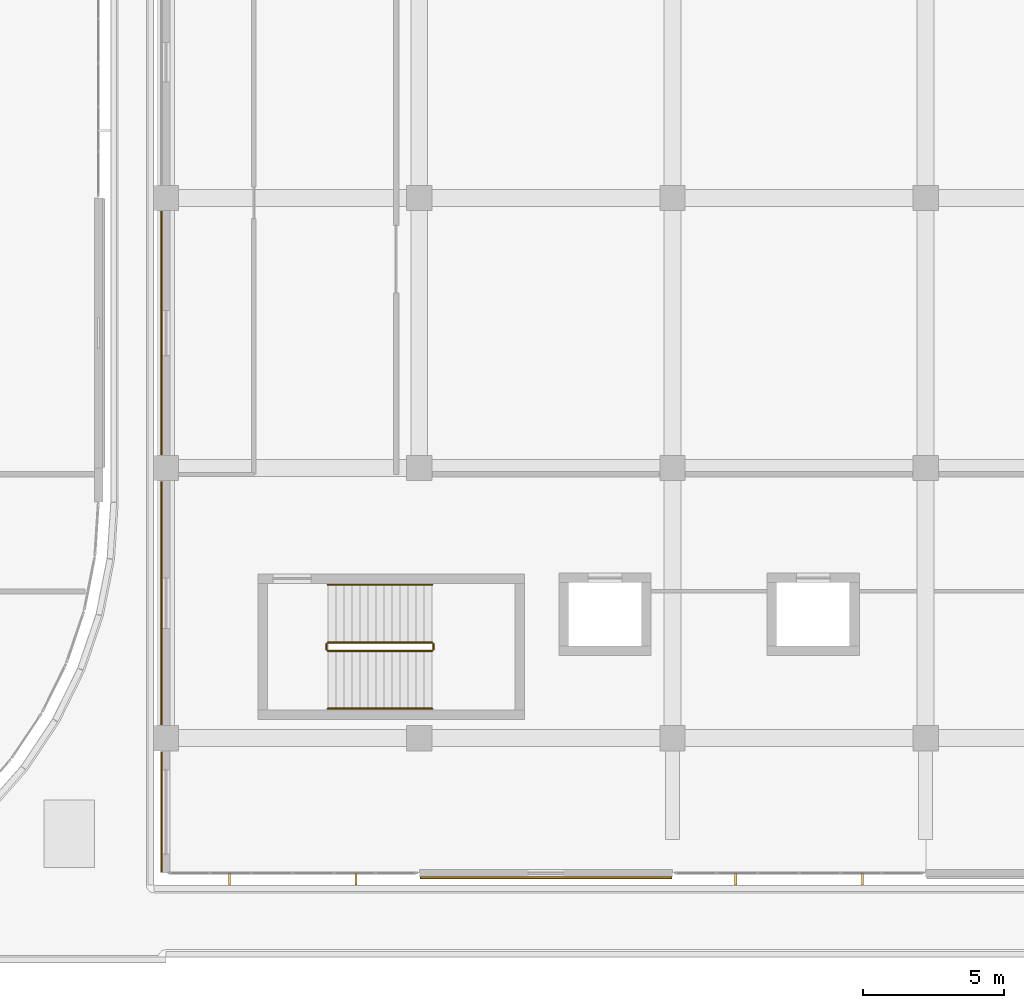
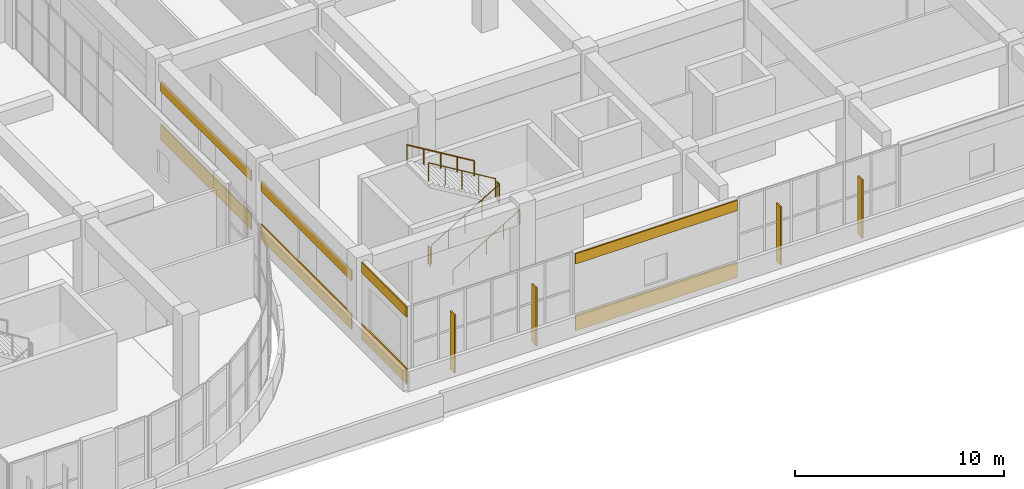
# One storey, part 82 of 96: 8 coverings, 6 railings, 4 shading devices.
"""IFC4 building model written with IfcOpenShell, lengths in metres."""

from ifc_helpers import new_model, si_unit, direction, frame, origin, origin_2d, place, context, subcontext, project, spatial, rectangle, circle, extrude, material, layer, layer_set, type_object, element, save


model = new_model("IFC4")

# Units and contexts
model_context = context("Model", 3, precision=1e-05, world=origin(), true_north=direction((0.0, 1.0)))
body_context = subcontext(model_context, "Body", "Model", "MODEL_VIEW")
ifc_project = project(units=[si_unit("LENGTHUNIT", "METRE"), si_unit("AREAUNIT", "SQUARE_METRE"), si_unit("VOLUMEUNIT", "CUBIC_METRE"), si_unit("PLANEANGLEUNIT", "RADIAN"), si_unit("MASSUNIT", "GRAM", prefix="KILO")], contexts=[model_context])

# Site, building, storey
site_placement = place(None, origin())
site = spatial("IfcSite", under=ifc_project, at=site_placement, CompositionType="ELEMENT")
building_placement = place(site_placement, origin())
building = spatial("IfcBuilding", under=site, at=building_placement, Name="Cendralis Terraced Arcade", CompositionType="ELEMENT")
storey_placement = place(building_placement, frame((0.0, 0.0, 10.199951171875)))
storey = spatial("IfcBuildingStorey", under=building, at=storey_placement, Name="L02", CompositionType="ELEMENT", Elevation=10.199951171875)

# Coverings
ifc_material_1 = material(Name="Precast concrete f'c 40 MPa", Category="concrete")
ifc_layer = layer(ifc_material_1, 0.06494140625, Name="COV-CLAD-GRC-65")
ifc_layer_set = layer_set([ifc_layer], Name="Precast concrete f'c 40 MPa")
covering_type = type_object("IfcCoveringType", Name="COV-CLAD-GRC-65", PredefinedType="CLADDING", material=ifc_layer_set)
covering_1_placement = place(storey_placement, frame((80.699951171875, 4.637451171875, 0.0), z_axis=(0.0, 0.0, 1.0), x_axis=(-1.0, 0.0, 0.0)))
element("IfcCovering", 1, at=covering_1_placement, inside=storey, type_object=covering_type, Name="Banded Precast Stone Spandrel Cladding L02-297", PredefinedType="CLADDING", context=body_context, shape_type="SweptSolid", body=[
    extrude(rectangle(XDim=8.93994140625, YDim=0.06494140625, at=origin_2d()), origin(), (0.0, 0.0, 1.0), 0.89990234375),
])
covering_2_placement = place(storey_placement, frame((80.699951171875, 4.637451171875, 3.89501953125), z_axis=(0.0, 0.0, 1.0), x_axis=(-1.0, 0.0, 0.0)))
element("IfcCovering", 2, at=covering_2_placement, inside=storey, type_object=covering_type, Name="Banded Precast Stone Lintel Cladding L02-298", PredefinedType="CLADDING", context=body_context, shape_type="SweptSolid", body=[
    extrude(rectangle(XDim=8.93994140625, YDim=0.06494140625, at=origin_2d()), origin(), (0.0, 0.0, 1.0), 0.60009765625),
])
covering_3_placement = place(storey_placement, frame((67.03759765625, 6.97607421875, 0.0), z_axis=(0.0, 0.0, 1.0), x_axis=(0.0, 1.0, 0.0)))
element("IfcCovering", 3, at=covering_3_placement, inside=storey, type_object=covering_type, Name="Banded Precast Stone Spandrel Cladding L02-299", PredefinedType="CLADDING", context=body_context, shape_type="SweptSolid", body=[
    extrude(rectangle(XDim=4.2919921875, YDim=0.06494140625, at=origin_2d()), origin(), (0.0, 0.0, 1.0), 0.89990234375),
])
covering_4_placement = place(storey_placement, frame((67.03759765625, 6.97607421875, 3.89501953125), z_axis=(0.0, 0.0, 1.0), x_axis=(0.0, 1.0, 0.0)))
element("IfcCovering", 4, at=covering_4_placement, inside=storey, type_object=covering_type, Name="Banded Precast Stone Lintel Cladding L02-300", PredefinedType="CLADDING", context=body_context, shape_type="SweptSolid", body=[
    extrude(rectangle(XDim=4.2919921875, YDim=0.06494140625, at=origin_2d()), origin(), (0.0, 0.0, 1.0), 0.60009765625),
])
covering_5_placement = place(storey_placement, frame((67.03759765625, 14.39990234375, 0.0), z_axis=(0.0, 0.0, 1.0), x_axis=(0.0, 1.0, 0.0)))
element("IfcCovering", 5, at=covering_5_placement, inside=storey, type_object=covering_type, Name="Banded Precast Stone Spandrel Cladding L02-301", PredefinedType="CLADDING", context=body_context, shape_type="SweptSolid", body=[
    extrude(rectangle(XDim=8.64404296875, YDim=0.06494140625, at=origin_2d()), origin(), (0.0, 0.0, 1.0), 0.89990234375),
])
covering_6_placement = place(storey_placement, frame((67.03759765625, 14.39990234375, 2.8349609375), z_axis=(0.0, 0.0, 1.0), x_axis=(0.0, 1.0, 0.0)))
element("IfcCovering", 6, at=covering_6_placement, inside=storey, type_object=covering_type, Name="Banded Precast Stone Lintel Cladding L02-302", PredefinedType="CLADDING", context=body_context, shape_type="SweptSolid", body=[
    extrude(rectangle(XDim=8.64404296875, YDim=0.06494140625, at=origin_2d()), origin(), (0.0, 0.0, 1.0), 0.60009765625),
])
covering_7_placement = place(storey_placement, frame((67.03759765625, 24.0, 0.0), z_axis=(0.0, 0.0, 1.0), x_axis=(0.0, 1.0, 0.0)))
element("IfcCovering", 7, at=covering_7_placement, inside=storey, type_object=covering_type, Name="Banded Precast Stone Spandrel Cladding L02-303", PredefinedType="CLADDING", context=body_context, shape_type="SweptSolid", body=[
    extrude(rectangle(XDim=8.64404296875, YDim=0.06494140625, at=origin_2d()), origin(), (0.0, 0.0, 1.0), 0.89990234375),
])
covering_8_placement = place(storey_placement, frame((67.03759765625, 24.0, 2.8349609375), z_axis=(0.0, 0.0, 1.0), x_axis=(0.0, 1.0, 0.0)))
element("IfcCovering", 8, at=covering_8_placement, inside=storey, type_object=covering_type, Name="Banded Precast Stone Lintel Cladding L02-304", PredefinedType="CLADDING", context=body_context, shape_type="SweptSolid", body=[
    extrude(rectangle(XDim=8.64404296875, YDim=0.06494140625, at=origin_2d()), origin(), (0.0, 0.0, 1.0), 0.60009765625),
])

# Railings
ifc_material_2 = material(Name="Brushed stainless steel AISI 316", Category="steel")
railing_type_1 = type_object("IfcRailingType", Name="RL-STAIR-GUARD-1100", PredefinedType="GUARDRAIL", material=ifc_material_2)
railing_1_placement = place(storey_placement, frame((72.949951171875, 12.699951171875, 0.17138671875)))
element("IfcRailing", 9, at=railing_1_placement, inside=storey, type_object=railing_type_1, Name="L02 ST-08 stair guard 1", PredefinedType="GUARDRAIL", context=body_context, shape_type="SweptSolid", body=[
    extrude(circle(Radius=0.02392578125, at=origin_2d()), frame((0.0, 0.0, 1.076171875), z_axis=(0.856909459561, 0.0, 0.515466951525), x_axis=(0.0, 1.0, 0.0)), (0.0, 0.0, 1.0), 4.32373046875),
    extrude(circle(Radius=0.02099609375, at=origin_2d()), origin(), (0.0, 0.0, 1.0), 1.052001953125),
    extrude(circle(Radius=0.02099609375, at=origin_2d()), frame((0.92626953125, 0.0, 0.55712890625)), (0.0, 0.0, 1.0), 1.052001953125),
    extrude(circle(Radius=0.02099609375, at=origin_2d()), frame((1.8525390625, 0.0, 1.1142578125)), (0.0, 0.0, 1.0), 1.052001953125),
    extrude(circle(Radius=0.02099609375, at=origin_2d()), frame((2.77880859375, 0.0, 1.671630859375)), (0.0, 0.0, 1.0), 1.052001953125),
    extrude(circle(Radius=0.02099609375, at=origin_2d()), frame((3.705078125, 0.0, 2.228759765625)), (0.0, 0.0, 1.0), 1.052001953125),
])
railing_2_placement = place(storey_placement, frame((76.705078125, 12.75, 2.400146484375)))
element("IfcRailing", 10, at=railing_2_placement, inside=storey, type_object=railing_type_1, Name="L02 ST-08 stair guard 2", PredefinedType="GUARDRAIL", context=body_context, shape_type="SweptSolid", body=[
    extrude(circle(Radius=0.02392578125, at=origin_2d()), frame((0.0, 0.0, 1.076171875), z_axis=(0.0, 1.0, 0.0), x_axis=(-1.0, 0.0, 0.0)), (0.0, 0.0, 1.0), 0.199951171875),
    extrude(circle(Radius=0.02099609375, at=origin_2d()), origin(), (0.0, 0.0, 1.0), 1.052001953125),
    extrude(circle(Radius=0.02099609375, at=origin_2d()), frame((0.0, 0.199951171875, 0.0)), (0.0, 0.0, 1.0), 1.052001953125),
])
railing_3_placement = place(storey_placement, frame((76.655029296875, 13.0, 2.571533203125)))
element("IfcRailing", 11, at=railing_3_placement, inside=storey, type_object=railing_type_1, Name="L02 ST-08 stair guard 3", PredefinedType="GUARDRAIL", context=body_context, shape_type="SweptSolid", body=[
    extrude(circle(Radius=0.02392578125, at=origin_2d()), frame((0.0, 0.0, 1.076171875), z_axis=(-0.856934400257, 0.0, 0.515425487977), x_axis=(0.0, -1.0, 0.0)), (0.0, 0.0, 1.0), 4.32373046875),
    extrude(circle(Radius=0.02099609375, at=origin_2d()), origin(), (0.0, 0.0, 1.0), 1.052001953125),
    extrude(circle(Radius=0.02099609375, at=origin_2d()), frame((-0.92626953125, 0.0, 0.55712890625)), (0.0, 0.0, 1.0), 1.052001953125),
    extrude(circle(Radius=0.02099609375, at=origin_2d()), frame((-1.8525390625, 0.0, 1.1142578125)), (0.0, 0.0, 1.0), 1.052001953125),
    extrude(circle(Radius=0.02099609375, at=origin_2d()), frame((-2.77880859375, 0.0, 1.67138671875)), (0.0, 0.0, 1.0), 1.052001953125),
    extrude(circle(Radius=0.02099609375, at=origin_2d()), frame((-3.705078125, 0.0, 2.228515625)), (0.0, 0.0, 1.0), 1.052001953125),
])
railing_4_placement = place(storey_placement, frame((72.89990234375, 12.75, 0.0)))
element("IfcRailing", 12, at=railing_4_placement, inside=storey, type_object=railing_type_1, Name="L02 ST-08 stair guard 4", PredefinedType="GUARDRAIL", context=body_context, shape_type="SweptSolid", body=[
    extrude(circle(Radius=0.02392578125, at=origin_2d()), frame((0.0, 0.0, 1.076171875), z_axis=(0.0, 1.0, 0.0), x_axis=(-1.0, 0.0, 0.0)), (0.0, 0.0, 1.0), 0.199951171875),
    extrude(circle(Radius=0.02099609375, at=origin_2d()), origin(), (0.0, 0.0, 1.0), 1.052001953125),
    extrude(circle(Radius=0.02099609375, at=origin_2d()), frame((0.0, 0.199951171875, 0.0)), (0.0, 0.0, 1.0), 1.052001953125),
])
railing_type_2 = type_object("IfcRailingType", Name="RL-STAIR-HAND-900", PredefinedType="HANDRAIL", material=ifc_material_2)
railing_5_placement = place(storey_placement, frame((72.949951171875, 10.64990234375, 0.17138671875)))
element("IfcRailing", 13, at=railing_5_placement, inside=storey, type_object=railing_type_2, Name="L02 ST-08 stair handrail 1", PredefinedType="HANDRAIL", context=body_context, shape_type="SweptSolid", body=[
    extrude(circle(Radius=0.02392578125, at=origin_2d()), frame((0.0, 0.0, 0.8759765625), z_axis=(0.856909459561, 0.0, 0.515466951525), x_axis=(0.0, 1.0, 0.0)), (0.0, 0.0, 1.0), 4.32373046875),
    extrude(circle(Radius=0.02099609375, at=origin_2d()), origin(), (0.0, 0.0, 1.0), 0.851806640625),
    extrude(circle(Radius=0.02099609375, at=origin_2d()), frame((0.92626953125, 0.0, 0.55712890625)), (0.0, 0.0, 1.0), 0.851806640625),
    extrude(circle(Radius=0.02099609375, at=origin_2d()), frame((1.8525390625, 0.0, 1.1142578125)), (0.0, 0.0, 1.0), 0.851806640625),
    extrude(circle(Radius=0.02099609375, at=origin_2d()), frame((2.77880859375, 0.0, 1.671630859375)), (0.0, 0.0, 1.0), 0.851806640625),
    extrude(circle(Radius=0.02099609375, at=origin_2d()), frame((3.705078125, 0.0, 2.228759765625)), (0.0, 0.0, 1.0), 0.851806640625),
])
railing_6_placement = place(storey_placement, frame((76.655029296875, 15.050048828125, 2.571533203125)))
element("IfcRailing", 14, at=railing_6_placement, inside=storey, type_object=railing_type_2, Name="L02 ST-08 stair handrail 2", PredefinedType="HANDRAIL", context=body_context, shape_type="SweptSolid", body=[
    extrude(circle(Radius=0.02392578125, at=origin_2d()), frame((0.0, 0.0, 0.8759765625), z_axis=(-0.856934400257, 0.0, 0.515425487977), x_axis=(0.0, -1.0, 0.0)), (0.0, 0.0, 1.0), 4.32373046875),
    extrude(circle(Radius=0.02099609375, at=origin_2d()), origin(), (0.0, 0.0, 1.0), 0.851806640625),
    extrude(circle(Radius=0.02099609375, at=origin_2d()), frame((-0.92626953125, 0.0, 0.55712890625)), (0.0, 0.0, 1.0), 0.851806640625),
    extrude(circle(Radius=0.02099609375, at=origin_2d()), frame((-1.8525390625, 0.0, 1.1142578125)), (0.0, 0.0, 1.0), 0.851806640625),
    extrude(circle(Radius=0.02099609375, at=origin_2d()), frame((-2.77880859375, 0.0, 1.67138671875)), (0.0, 0.0, 1.0), 0.851806640625),
    extrude(circle(Radius=0.02099609375, at=origin_2d()), frame((-3.705078125, 0.0, 2.228515625)), (0.0, 0.0, 1.0), 0.851806640625),
])

# Shading devices
ifc_material_3 = material(Name="Anodised aluminium EN AW-6063 T6", Category="aluminium")
shading_device_type = type_object("IfcShadingDeviceType", Name="SHD-FIN-420", PredefinedType="USERDEFINED", material=ifc_material_3)
for number, where, z_axis, x_axis, name in (
    (15, (91.949951171875, 4.5849609375, 0.050048828125), (0.0, 0.0, 1.0), (-1.0, 0.0, 0.0), "Parametric Vertical Solar Fin FIN-L02-069"),
    (16, (87.449951171875, 4.5849609375, 0.050048828125), (0.0, 0.0, 1.0), (-1.0, 0.0, 0.0), "Parametric Vertical Solar Fin FIN-L02-070"),
    (17, (73.949951171875, 4.5849609375, 0.050048828125), (0.0, 0.0, 1.0), (-1.0, 0.0, 0.0), "Parametric Vertical Solar Fin FIN-L02-071"),
    (18, (69.449951171875, 4.5849609375, 0.050048828125), (0.0, 0.0, 1.0), (-1.0, 0.0, 0.0), "Parametric Vertical Solar Fin FIN-L02-072"),
):
    element("IfcShadingDevice", number, at=place(storey_placement, frame(where, z_axis=z_axis, x_axis=x_axis)), inside=storey, type_object=shading_device_type, Name=name, ObjectType="FIN", PredefinedType="USERDEFINED", context=body_context, shape_type="SweptSolid", body=[
        extrude(rectangle(XDim=0.074951171875, YDim=0.419921875, at=origin_2d()), origin(), (0.0, 0.0, 1.0), 3.39990234375),
    ])

save(model, "model.ifc")
